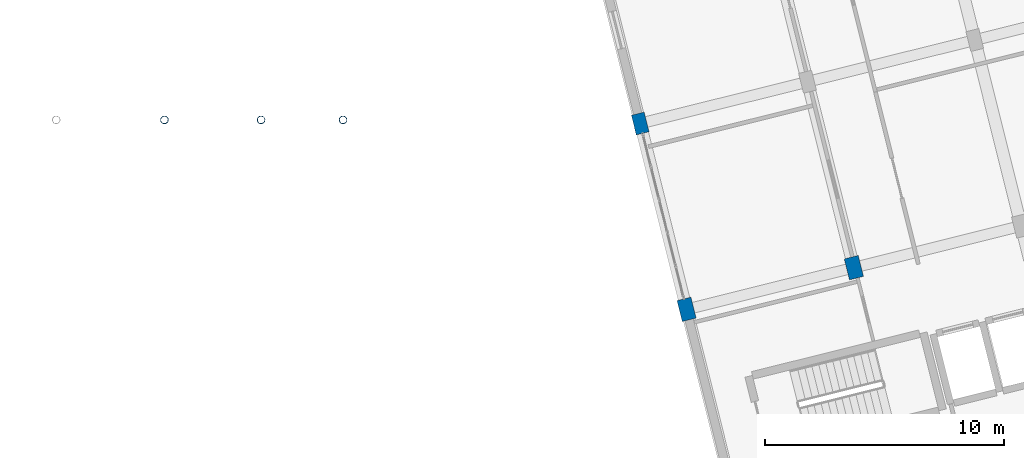
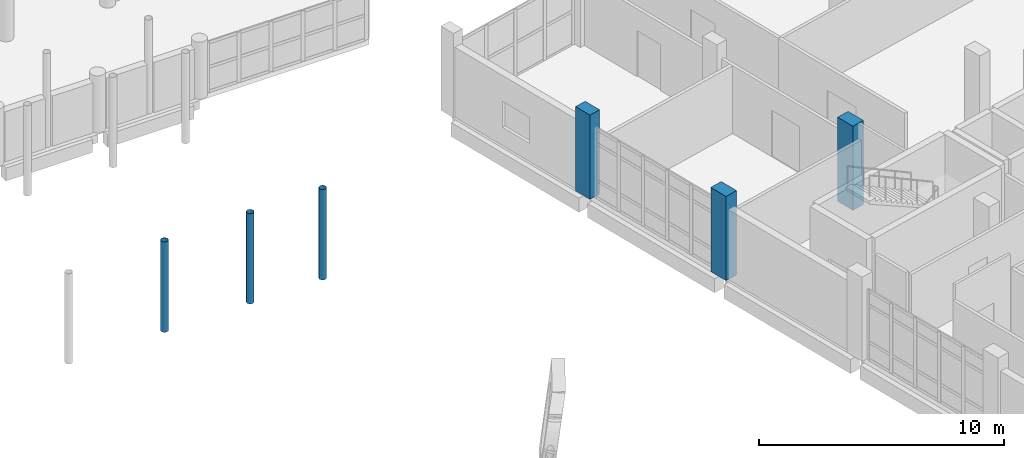
# One storey, part 8 of 164: 6 columns.
"""IFC4 building model written with IfcOpenShell, lengths in metres."""

from ifc_helpers import new_model, si_unit, direction, frame, origin, origin_2d, place, context, subcontext, project, spatial, rectangle, hollow_circle, extrude, material, material_profile, profile_set, type_object, element, save


model = new_model("IFC4")

# Units and contexts
model_context = context("Model", 3, precision=1e-05, world=origin(), true_north=direction((0.0, 1.0)))
body_context = subcontext(model_context, "Body", "Model", "MODEL_VIEW")
ifc_project = project(units=[si_unit("LENGTHUNIT", "METRE"), si_unit("AREAUNIT", "SQUARE_METRE"), si_unit("VOLUMEUNIT", "CUBIC_METRE"), si_unit("PLANEANGLEUNIT", "RADIAN"), si_unit("MASSUNIT", "GRAM", prefix="KILO")], contexts=[model_context])

# Site, building, storey
site_placement = place(None, origin())
site = spatial("IfcSite", under=ifc_project, at=site_placement, CompositionType="ELEMENT")
building_placement = place(site_placement, origin())
building = spatial("IfcBuilding", under=site, at=building_placement, Name="Mawjan Specialist Oncology Clinic", CompositionType="ELEMENT")
storey_placement = place(building_placement, frame((0.0, 0.0, 5.0)))
storey = spatial("IfcBuildingStorey", under=building, at=storey_placement, Name="L01", CompositionType="ELEMENT", Elevation=5.0)

# Columns
ifc_material_1 = material(Name="Concrete C45/55", Category="concrete")
ifc_material_profile_1 = material_profile(ifc_material_1, rectangle(XDim=0.550048828125, YDim=0.85009765625, at=origin_2d()), Name="RC COL 550x850", Category="concrete")
ifc_profile_set_1 = profile_set([ifc_material_profile_1], Name="Concrete C45/55")
column_type_1 = type_object("IfcColumnType", Name="C-550x850", PredefinedType="COLUMN", material=ifc_profile_set_1)
column_placement = place(storey_placement, frame((118.258544921875, 31.849365234375, 0.0), z_axis=(0.0, 0.0, 1.0), x_axis=(0.970295726276, 0.2419218956, 0.0)))
element("IfcColumn", 1, at=column_placement, inside=storey, type_object=column_type_1, Name="L01 Column R-RA-R5", PredefinedType="COLUMN", context=body_context, shape_type="SweptSolid", body=[
    extrude(rectangle(XDim=0.550048828125, YDim=0.85009765625, at=origin_2d()), origin(), (0.0, 0.0, 1.0), 4.199951171875),
])
ifc_material_2 = material(Name="Concrete C45/55", Category="concrete")
ifc_material_profile_2 = material_profile(ifc_material_2, rectangle(XDim=0.60009765625, YDim=0.89990234375, at=origin_2d()), Name="RC COL 600x900", Category="concrete")
ifc_profile_set_2 = profile_set([ifc_material_profile_2], Name="Concrete C45/55")
column_type_2 = type_object("IfcColumnType", Name="C-600x900", PredefinedType="COLUMN", material=ifc_profile_set_2)
for number, where, z_axis, x_axis, name in (
    (2, (120.19384765625, 24.087158203125, 0.0), (0.0, 0.0, 1.0), (0.970295726276, 0.2419218956, 0.0), "L01 Column R-RA-R4"),
    (3, (127.179931640625, 25.828857421875, 0.0), (0.0, 0.0, 1.0), (0.970295726276, 0.2419218956, 0.0), "L01 Column R-RB-R4"),
):
    element("IfcColumn", number, at=place(storey_placement, frame(where, z_axis=z_axis, x_axis=x_axis)), inside=storey, type_object=column_type_2, Name=name, PredefinedType="COLUMN", context=body_context, shape_type="SweptSolid", body=[
        extrude(rectangle(XDim=0.60009765625, YDim=0.89990234375, at=origin_2d()), origin(), (0.0, 0.0, 1.0), 4.199951171875),
    ])
ifc_material_3 = material(Name="Structural steel S355", Category="steel")
ifc_material_profile_3 = material_profile(ifc_material_3, hollow_circle(Radius=0.161865234375, WallThickness=0.011962890625, at=origin_2d()), Name="CHS 323.9x12", Category="steel")
ifc_profile_set_3 = profile_set([ifc_material_profile_3], Name="Structural steel S355")
column_type_3 = type_object("IfcColumnType", Name="SC-CHS324", PredefinedType="COLUMN", material=ifc_profile_set_3)
for number, where, z_axis, x_axis, name in (
    (4, (98.388671875, 32.0, 0.0), (0.0, 0.0, 1.0), (1.0, 0.0, 0.0), "Courtyard Canopy Column 9 L01"),
    (5, (102.426513671875, 32.0, 0.0), (0.0, 0.0, 1.0), (1.0, 0.0, 0.0), "Courtyard Canopy Column 10 L01"),
    (6, (105.847412109375, 32.0, 0.0), (0.0, 0.0, 1.0), (1.0, 0.0, 0.0), "Courtyard Canopy Column 11 L01"),
):
    element("IfcColumn", number, at=place(storey_placement, frame(where, z_axis=z_axis, x_axis=x_axis)), inside=storey, type_object=column_type_3, Name=name, PredefinedType="COLUMN", context=body_context, shape_type="SweptSolid", body=[
        extrude(hollow_circle(Radius=0.161865234375, WallThickness=0.011962890625, at=origin_2d()), origin(), (0.0, 0.0, 1.0), 4.5),
    ])

save(model, "model.ifc")
